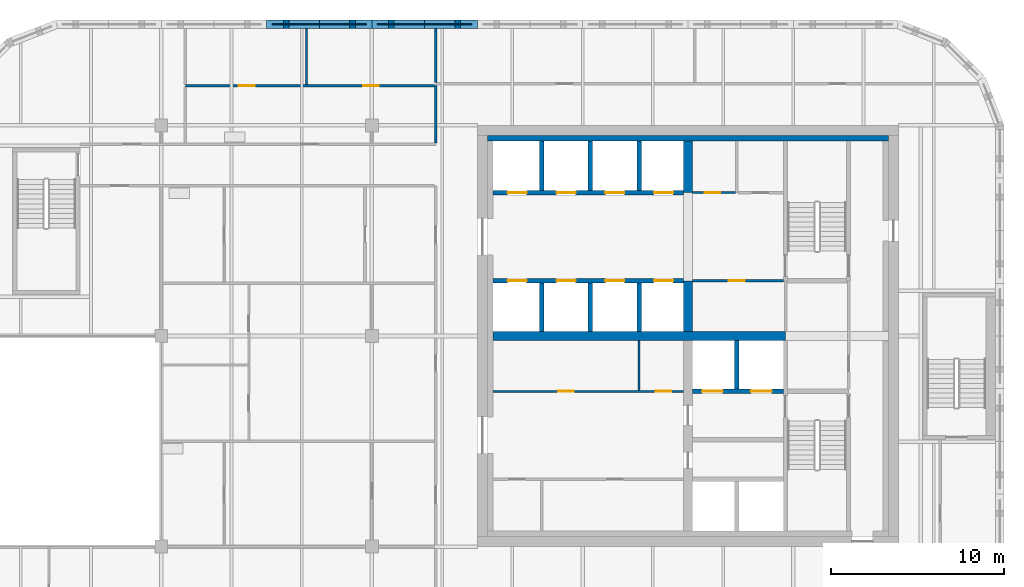
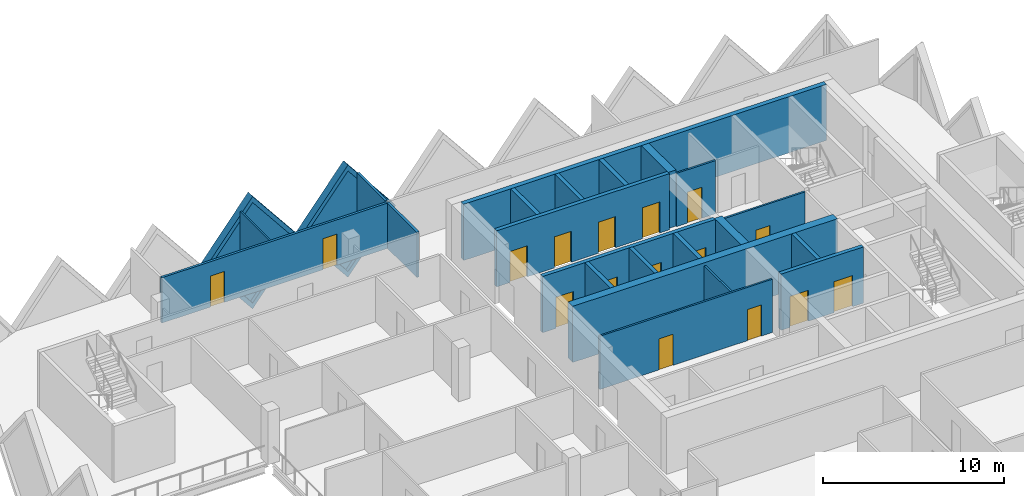
# One storey, part 8 of 12: 24 walls, 16 doors, 2 plates, 18 openings.
"""IFC4 building model written with IfcOpenShell, lengths in metres."""

import ifcopenshell
import ifcopenshell.guid

model = None  # the IFC model being written
_history = None  # IfcOwnerHistory: only IFC2X3 demands one
_inside = {}  # id of a spatial element -> (the spatial element, [elements in it])
_under = {}  # id of a project, library or spatial element -> (it, [spatial elements below it])
_declared = {}  # id of a project -> (the project, [libraries it declares])
_typed = {}  # id of a type object -> (the type object, [elements of that type])
_made_of = {}  # id of a material, layer set ... -> (it, [elements and type objects made of it])


def new_model(schema):
    """Start an empty IFC model of exactly this schema.

    Asked for "IFC4X3", IfcOpenShell would pick the latest addendum, in which some entities
    have other attributes; the version numbers below select the first issue.
    IFC2X3 requires an IfcOwnerHistory on every rooted entity: one is made here for all.
    """
    global model, _history
    if schema == "IFC4X3":
        model = ifcopenshell.file(schema_version=(4, 3, 0, 0))
    else:
        model = ifcopenshell.file(schema=schema)
    _inside.clear()
    _under.clear()
    _declared.clear()
    _typed.clear()
    _made_of.clear()
    _history = None
    if model.schema == "IFC2X3":
        org = make("IfcOrganization", Name="unknown")
        user = make(
            "IfcPersonAndOrganization",
            ThePerson=make("IfcPerson", FamilyName="unknown"),
            TheOrganization=org,
        )
        app = make(
            "IfcApplication",
            ApplicationDeveloper=org,
            Version="unknown",
            ApplicationFullName="unknown",
            ApplicationIdentifier="unknown",
        )
        _history = make(
            "IfcOwnerHistory",
            OwningUser=user,
            OwningApplication=app,
            ChangeAction="ADDED",
            CreationDate=0,
        )
    return model


def make(cls, **values):
    """One entity of the class cls with the attributes given. An attribute that is None is left unset."""
    return model.create_entity(
        cls, **{name: value for name, value in values.items() if value is not None}
    )


def rooted(cls, **values):
    """An entity with a GlobalId (a new one), such as an element, a storey or a relation."""
    return make(cls, GlobalId=ifcopenshell.guid.new(), OwnerHistory=_history, **values)


def si_unit(unit_type, name, prefix=None):
    """IfcSIUnit, for example si_unit("LENGTHUNIT", "METRE", prefix="MILLI")."""
    return make("IfcSIUnit", UnitType=unit_type, Prefix=prefix, Name=name)


def assignment(units):
    """IfcUnitAssignment: the units of a project."""
    return None if units is None else make("IfcUnitAssignment", Units=units)


def point(xyz):
    """IfcCartesianPoint."""
    return None if xyz is None else make("IfcCartesianPoint", Coordinates=xyz)


def direction(xyz):
    """IfcDirection."""
    return None if xyz is None else make("IfcDirection", DirectionRatios=xyz)


def frame(location, z_axis=None, x_axis=None):
    """IfcAxis2Placement3D, a coordinate frame: its origin and axes. An axis left out is left unset."""
    return make(
        "IfcAxis2Placement3D",
        Location=point(location),
        Axis=direction(z_axis),
        RefDirection=direction(x_axis),
    )


def frame_2d(location, x_axis=None):
    """IfcAxis2Placement2D, a coordinate frame in the plane: its origin and x axis."""
    return make(
        "IfcAxis2Placement2D", Location=point(location), RefDirection=direction(x_axis)
    )


def origin():
    """The frame at (0, 0, 0) with its axes left unset."""
    return frame((0.0, 0.0, 0.0))


def place(relative_to, where):
    """IfcLocalPlacement: puts the frame where relative to a parent placement (None: the world)."""
    return make(
        "IfcLocalPlacement", PlacementRelTo=relative_to, RelativePlacement=where
    )


def context(
    kind, dimensions, precision=None, world=None, true_north=None, identifier=None
):
    """IfcGeometricRepresentationContext, for example the 3D "Model" context."""
    return make(
        "IfcGeometricRepresentationContext",
        ContextIdentifier=identifier,
        ContextType=kind,
        CoordinateSpaceDimension=dimensions,
        Precision=precision,
        WorldCoordinateSystem=world,
        TrueNorth=true_north,
    )


def subcontext(parent, identifier, kind, view, scale=None):
    """IfcGeometricRepresentationSubContext, for example "Body" below "Model"."""
    return make(
        "IfcGeometricRepresentationSubContext",
        ContextIdentifier=identifier,
        ContextType=kind,
        ParentContext=parent,
        TargetScale=scale,
        TargetView=view,
    )


def project(units=None, contexts=None):
    """IfcProject with its units and contexts."""
    return rooted(
        "IfcProject",
        Name="project",
        RepresentationContexts=contexts,
        UnitsInContext=assignment(units),
    )


def spatial(cls, under=None, at=None, **own):
    """A site, building, storey or space (cls), placed at a placement, below another one or the project."""
    s = rooted(cls, ObjectPlacement=at, **own)
    if under is not None:
        _under.setdefault(under.id(), (under, []))[1].append(s)
    return s


def polyline(points):
    """IfcPolyline through the points."""
    return make("IfcPolyline", Points=[point(p) for p in points])


def profile(cls, at=None, kind="AREA", **sizes):
    """A parametric profile (cls). Its sizes go by their IFC names, for example OverallWidth=200.0."""
    return make(cls, ProfileType=kind, Position=at, **sizes)


def rectangle(**sizes):
    """IfcRectangleProfileDef."""
    return profile("IfcRectangleProfileDef", **sizes)


def outline(outer, holes=None, kind="AREA"):
    """IfcArbitraryClosedProfileDef: a profile drawn as a closed curve; with holes, ...WithVoids."""
    if holes is None:
        return make("IfcArbitraryClosedProfileDef", ProfileType=kind, OuterCurve=outer)
    return make(
        "IfcArbitraryProfileDefWithVoids",
        ProfileType=kind,
        OuterCurve=outer,
        InnerCurves=holes,
    )


def extrude(swept, where, along, depth):
    """IfcExtrudedAreaSolid: the profile swept, set in the frame where, extruded along a direction by depth."""
    return make(
        "IfcExtrudedAreaSolid",
        SweptArea=swept,
        Position=where,
        ExtrudedDirection=direction(along),
        Depth=depth,
    )


def faces_of(points, faces, orient=None, outer=None):
    """IfcFace entities. A face is a list of loops; a loop is a list of indices into points, from 0.

    orient and outer hold one flag for each loop. By default every Orientation is true, the
    first loop of a face is its IfcFaceOuterBound and the others are IfcFaceBound.
    """
    made = []
    for i, loops in enumerate(faces):
        bounds = []
        for j, loop in enumerate(loops):
            is_outer = j == 0 if outer is None else outer[i][j]
            bounds.append(
                make(
                    "IfcFaceOuterBound" if is_outer else "IfcFaceBound",
                    Bound=make("IfcPolyLoop", Polygon=[points[k] for k in loop]),
                    Orientation=True if orient is None else orient[i][j],
                )
            )
        made.append(make("IfcFace", Bounds=bounds))
    return made


def faceted_brep(points, faces, orient=None, outer=None, voids=None):
    """IfcFacetedBrep: a solid bounded by flat faces; with voids (closed shells), ...WithVoids."""
    shared = [point(p) for p in points]
    hull = make("IfcClosedShell", CfsFaces=faces_of(shared, faces, orient, outer))
    if voids is None:
        return make("IfcFacetedBrep", Outer=hull)
    return make(
        "IfcFacetedBrepWithVoids",
        Outer=hull,
        Voids=[
            make(cls, CfsFaces=faces_of(shared, fs, o, b)) for cls, fs, o, b in voids
        ],
    )


def shape(context_of_items, identifier, shape_type, items):
    """IfcShapeRepresentation: the items that make up one representation, for example the "Body"."""
    return make(
        "IfcShapeRepresentation",
        ContextOfItems=context_of_items,
        RepresentationIdentifier=identifier,
        RepresentationType=shape_type,
        Items=items,
    )


def source(mapping_origin, context_of_items, identifier, shape_type, items):
    """IfcRepresentationMap: a shape defined once, which mapped items show again and again."""
    return make(
        "IfcRepresentationMap",
        MappingOrigin=mapping_origin,
        MappedRepresentation=shape(context_of_items, identifier, shape_type, items),
    )


def transform(
    local_origin,
    x_axis=None,
    y_axis=None,
    z_axis=None,
    scale=None,
    scale2=None,
    scale3=None,
    uniform=True,
):
    """IfcCartesianTransformationOperator3D, or its non-uniform kind. x_axis, y_axis, z_axis: its Axis1, 2, 3."""
    if uniform:
        return make(
            "IfcCartesianTransformationOperator3D",
            Axis1=direction(x_axis),
            Axis2=direction(y_axis),
            LocalOrigin=point(local_origin),
            Scale=scale,
            Axis3=direction(z_axis),
        )
    return make(
        "IfcCartesianTransformationOperator3DnonUniform",
        Axis1=direction(x_axis),
        Axis2=direction(y_axis),
        LocalOrigin=point(local_origin),
        Scale=scale,
        Axis3=direction(z_axis),
        Scale2=scale2,
        Scale3=scale3,
    )


def mapped(mapping_source, mapping_target):
    """IfcMappedItem: shows the shape of a source again, moved by a transform."""
    return make(
        "IfcMappedItem", MappingSource=mapping_source, MappingTarget=mapping_target
    )


def material(Name=None, Category=None):
    """IfcMaterial."""
    return make("IfcMaterial", Name=Name, Category=Category)


def layer(
    of_material, thickness, ventilated=None, Name=None, Category=None, Priority=None
):
    """IfcMaterialLayer: one layer of a wall or slab, of a material (None: an air gap)."""
    return make(
        "IfcMaterialLayer",
        Material=of_material,
        LayerThickness=thickness,
        IsVentilated=ventilated,
        Name=Name,
        Category=Category,
        Priority=Priority,
    )


def layer_set(layers, Name=None):
    """IfcMaterialLayerSet."""
    return make("IfcMaterialLayerSet", MaterialLayers=layers, LayerSetName=Name)


def made_of(thing, what):
    """Note that an element or type object is made of a material, layer set ...; save() writes the relation."""
    if what is not None:
        _made_of.setdefault(what.id(), (what, []))[1].append(thing)
    return thing


def type_object(cls, material=None, **own):
    """A type object (cls), such as IfcWallType, which elements share."""
    return made_of(rooted(cls, **own), material)


def element(
    cls,
    number,
    at=None,
    inside=None,
    cuts=None,
    type_object=None,
    material=None,
    context=None,
    identifier="Body",
    shape_type=None,
    held_by="IfcProductDefinitionShape",
    body=None,
    shapes=None,
    **own,
):
    """One element of the class cls, such as IfcWall. Its Tag is "e" and its number.

    at: its placement. inside: the storey or other place that contains it. cuts: it is an
    opening in that element (IfcRelVoidsElement). A single representation is given by context,
    identifier, shape_type and body (its items); several are given by shapes. held_by: the class
    of the entity that holds the representations. save() writes the other relations.
    """
    e = rooted(cls, Tag="e%d" % number, ObjectPlacement=at, **own)
    if body is not None:
        shapes = [shape(context, identifier, shape_type, body)]
    if shapes is not None:
        e.Representation = make(held_by, Representations=shapes)
    if inside is not None:
        _inside.setdefault(inside.id(), (inside, []))[1].append(e)
    if cuts is not None:
        rooted(
            "IfcRelVoidsElement", RelatingBuildingElement=cuts, RelatedOpeningElement=e
        )
    if type_object is not None:
        _typed.setdefault(type_object.id(), (type_object, []))[1].append(e)
    return made_of(e, material)


def fill(opening, filler):
    """IfcRelFillsElement: the door or window that sits in an opening."""
    return rooted(
        "IfcRelFillsElement",
        RelatingOpeningElement=opening,
        RelatedBuildingElement=filler,
    )


def aggregate(whole, parts):
    """IfcRelAggregates: a whole, such as a stair, and the parts it consists of."""
    return rooted("IfcRelAggregates", RelatingObject=whole, RelatedObjects=parts)


def save(model, path):
    """Write the relations noted so far, then the file.

    IfcRelAggregates (storeys below a building ...), IfcRelContainedInSpatialStructure (elements
    in a storey), IfcRelDefinesByType, IfcRelAssociatesMaterial and IfcRelDeclares: one each for
    every whole, place, type object, material and project.
    """
    for whole, parts in _under.values():
        aggregate(whole, parts)
    for where, things in _inside.values():
        rooted(
            "IfcRelContainedInSpatialStructure",
            RelatedElements=things,
            RelatingStructure=where,
        )
    for kind, things in _typed.values():
        rooted("IfcRelDefinesByType", RelatedObjects=things, RelatingType=kind)
    for what, things in _made_of.values():
        rooted("IfcRelAssociatesMaterial", RelatedObjects=things, RelatingMaterial=what)
    for by, libraries in _declared.values():
        rooted("IfcRelDeclares", RelatingContext=by, RelatedDefinitions=libraries)
    model.write(path)


model = new_model("IFC4")

# Units and contexts
model_context = context("Model", 3, precision=1e-05, world=origin(), true_north=direction((0.0, 1.0)))
body_context = subcontext(model_context, "Body", "Model", "MODEL_VIEW")
ifc_project = project(units=[si_unit("LENGTHUNIT", "METRE"), si_unit("AREAUNIT", "SQUARE_METRE"), si_unit("VOLUMEUNIT", "CUBIC_METRE"), si_unit("PLANEANGLEUNIT", "RADIAN"), si_unit("MASSUNIT", "GRAM", prefix="KILO")], contexts=[model_context])

# Site, building, storey
site_placement = place(None, origin())
site = spatial("IfcSite", under=ifc_project, at=site_placement, CompositionType="ELEMENT")
building_placement = place(site_placement, origin())
building = spatial("IfcBuilding", under=site, at=building_placement, Name="Tessera Gate Towers", CompositionType="ELEMENT")
storey_placement = place(building_placement, frame((0.0, 0.0, 159.199951171875)))
storey = spatial("IfcBuildingStorey", under=building, at=storey_placement, Name="L39", CompositionType="ELEMENT", Elevation=159.199951171875)

# Wall, openings, doors
ifc_material_1 = material(Name="Concrete C40/50", Category="concrete")
ifc_layer_1 = layer(ifc_material_1, 0.25)
ifc_layer_set_1 = layer_set([ifc_layer_1], Name="CORE ENCLOSURE WALL 250")
wall_type_1 = type_object("IfcWallType", Name="CORE ENCLOSURE WALL 250", PredefinedType="SOLIDWALL", material=ifc_layer_set_1)
wall_1_placement = place(storey_placement, frame((31.39990234375, 39.800048828125, 0.0), z_axis=(0.0, 0.0, 1.0), x_axis=(1.0, 0.0, 0.0)))
wall_1 = element("IfcWall", 1, at=wall_1_placement, inside=storey, type_object=wall_type_1, Name="L39 shaft and stair enclosure wall", PredefinedType="SOLIDWALL", context=body_context, shape_type="SweptSolid", body=[
    extrude(rectangle(XDim=11.050048828125, YDim=0.25, at=frame_2d((5.52490234375, 0.0))), origin(), (0.0, 0.0, 1.0), 3.800048828125),
])
shared_shape_1 = source(origin(), body_context, "Body", "SweptSolid", [
    extrude(rectangle(XDim=1.10009765625, YDim=2.10009765625, at=frame_2d((0.550048828125, 1.050048828125))), frame((0.0, 0.135009765625, 0.0), z_axis=(0.0, -1.0, 0.0), x_axis=(1.0, 0.0, 0.0)), (0.0, 0.0, 1.0), 0.27001953125),
])
opening_1_placement = place(wall_1_placement, frame((0.862548828125, 0.0, 0.0)))
opening_1 = element("IfcOpeningElement", 2, at=opening_1_placement, cuts=wall_1, Name="Opening LD-HR1", PredefinedType="OPENING", context=body_context, shape_type="MappedRepresentation", body=[
    mapped(shared_shape_1, transform((0.0, 0.0, 0.0), scale=1.0)),
])
opening_2_placement = place(wall_1_placement, frame((3.6875, 0.0, 0.0)))
opening_2 = element("IfcOpeningElement", 3, at=opening_2_placement, cuts=wall_1, Name="Opening LD-HR2", PredefinedType="OPENING", context=body_context, shape_type="MappedRepresentation", body=[
    mapped(shared_shape_1, transform((0.0, 0.0, 0.0), scale=1.0)),
])
opening_3_placement = place(wall_1_placement, frame((6.512451171875, 0.0, 0.0)))
opening_3 = element("IfcOpeningElement", 4, at=opening_3_placement, cuts=wall_1, Name="Opening LD-HR3", PredefinedType="OPENING", context=body_context, shape_type="MappedRepresentation", body=[
    mapped(shared_shape_1, transform((0.0, 0.0, 0.0), scale=1.0)),
])
opening_4_placement = place(wall_1_placement, frame((9.33740234375, 0.0, 0.0)))
opening_4 = element("IfcOpeningElement", 5, at=opening_4_placement, cuts=wall_1, Name="Opening LD-HR4", PredefinedType="OPENING", context=body_context, shape_type="MappedRepresentation", body=[
    mapped(shared_shape_1, transform((0.0, 0.0, 0.0), scale=1.0)),
])
ifc_material_2 = material(Name="Stainless steel", Category="steel")
door_type_1 = type_object("IfcDoorType", Name="CORE DOOR LD 1100x2100", OperationType="DOUBLE_DOOR_SLIDING", PredefinedType="DOOR", material=ifc_material_2)
shared_shape_2 = source(origin(), body_context, "Body", "SweptSolid", [
    extrude(rectangle(XDim=1.10009765625, YDim=2.10009765625, at=frame_2d((0.550048828125, 1.050048828125))), frame((0.0, 0.02490234375, 0.0), z_axis=(0.0, -1.0, 0.0), x_axis=(1.0, 0.0, 0.0)), (0.0, 0.0, 1.0), 0.050048828125),
])
door_1_placement = place(opening_1_placement, origin())
door_1 = element("IfcDoor", 6, at=door_1_placement, inside=storey, type_object=door_type_1, Name="Landing door HR1 L39", OperationType="DOUBLE_DOOR_SLIDING", OverallHeight=2.10009765625, OverallWidth=1.10009765625, PredefinedType="DOOR", context=body_context, shape_type="MappedRepresentation", body=[
    mapped(shared_shape_2, transform((0.0, 0.0, 0.0), scale=1.0)),
])
fill(opening_1, door_1)
door_2_placement = place(opening_2_placement, origin())
door_2 = element("IfcDoor", 7, at=door_2_placement, inside=storey, type_object=door_type_1, Name="Landing door HR2 L39", OperationType="DOUBLE_DOOR_SLIDING", OverallHeight=2.10009765625, OverallWidth=1.10009765625, PredefinedType="DOOR", context=body_context, shape_type="MappedRepresentation", body=[
    mapped(shared_shape_2, transform((0.0, 0.0, 0.0), scale=1.0)),
])
fill(opening_2, door_2)
door_3_placement = place(opening_3_placement, origin())
door_3 = element("IfcDoor", 8, at=door_3_placement, inside=storey, type_object=door_type_1, Name="Landing door HR3 L39", OperationType="DOUBLE_DOOR_SLIDING", OverallHeight=2.10009765625, OverallWidth=1.10009765625, PredefinedType="DOOR", context=body_context, shape_type="MappedRepresentation", body=[
    mapped(shared_shape_2, transform((0.0, 0.0, 0.0), scale=1.0)),
])
fill(opening_3, door_3)
door_4_placement = place(opening_4_placement, origin())
door_4 = element("IfcDoor", 9, at=door_4_placement, inside=storey, type_object=door_type_1, Name="Landing door HR4 L39", OperationType="DOUBLE_DOOR_SLIDING", OverallHeight=2.10009765625, OverallWidth=1.10009765625, PredefinedType="DOOR", context=body_context, shape_type="MappedRepresentation", body=[
    mapped(shared_shape_2, transform((0.0, 0.0, 0.0), scale=1.0)),
])
fill(opening_4, door_4)

wall_2_placement = place(storey_placement, frame((42.449951171875, 44.89990234375, 0.0), z_axis=(0.0, 0.0, 1.0), x_axis=(-1.0, 0.0, 0.0)))
wall_2 = element("IfcWall", 10, at=wall_2_placement, inside=storey, type_object=wall_type_1, Name="L39 shaft and stair enclosure wall", PredefinedType="SOLIDWALL", context=body_context, shape_type="SweptSolid", body=[
    extrude(rectangle(XDim=11.050048828125, YDim=0.25, at=frame_2d((5.52490234375, 0.0))), origin(), (0.0, 0.0, 1.0), 3.800048828125),
])
opening_5_placement = place(wall_2_placement, frame((9.08740234375, 0.0, 0.0)))
opening_5 = element("IfcOpeningElement", 11, at=opening_5_placement, cuts=wall_2, Name="Opening LD-HR5", PredefinedType="OPENING", context=body_context, shape_type="MappedRepresentation", body=[
    mapped(shared_shape_1, transform((0.0, 0.0, 0.0), scale=1.0)),
])
opening_6_placement = place(wall_2_placement, frame((6.262451171875, 0.0, 0.0)))
opening_6 = element("IfcOpeningElement", 12, at=opening_6_placement, cuts=wall_2, Name="Opening LD-HR6", PredefinedType="OPENING", context=body_context, shape_type="MappedRepresentation", body=[
    mapped(shared_shape_1, transform((0.0, 0.0, 0.0), scale=1.0)),
])
opening_7_placement = place(wall_2_placement, frame((3.4375, 0.0, 0.0)))
opening_7 = element("IfcOpeningElement", 13, at=opening_7_placement, cuts=wall_2, Name="Opening LD-HR7", PredefinedType="OPENING", context=body_context, shape_type="MappedRepresentation", body=[
    mapped(shared_shape_1, transform((0.0, 0.0, 0.0), scale=1.0)),
])
opening_8_placement = place(wall_2_placement, frame((0.612548828125, 0.0, 0.0)))
opening_8 = element("IfcOpeningElement", 14, at=opening_8_placement, cuts=wall_2, Name="Opening LD-HR8", PredefinedType="OPENING", context=body_context, shape_type="MappedRepresentation", body=[
    mapped(shared_shape_1, transform((0.0, 0.0, 0.0), scale=1.0)),
])
door_5_placement = place(opening_5_placement, origin())
door_5 = element("IfcDoor", 15, at=door_5_placement, inside=storey, type_object=door_type_1, Name="Landing door HR5 L39", OperationType="DOUBLE_DOOR_SLIDING", OverallHeight=2.10009765625, OverallWidth=1.10009765625, PredefinedType="DOOR", context=body_context, shape_type="MappedRepresentation", body=[
    mapped(shared_shape_2, transform((0.0, 0.0, 0.0), scale=1.0)),
])
fill(opening_5, door_5)
door_6_placement = place(opening_6_placement, origin())
door_6 = element("IfcDoor", 16, at=door_6_placement, inside=storey, type_object=door_type_1, Name="Landing door HR6 L39", OperationType="DOUBLE_DOOR_SLIDING", OverallHeight=2.10009765625, OverallWidth=1.10009765625, PredefinedType="DOOR", context=body_context, shape_type="MappedRepresentation", body=[
    mapped(shared_shape_2, transform((0.0, 0.0, 0.0), scale=1.0)),
])
fill(opening_6, door_6)
door_7_placement = place(opening_7_placement, origin())
door_7 = element("IfcDoor", 17, at=door_7_placement, inside=storey, type_object=door_type_1, Name="Landing door HR7 L39", OperationType="DOUBLE_DOOR_SLIDING", OverallHeight=2.10009765625, OverallWidth=1.10009765625, PredefinedType="DOOR", context=body_context, shape_type="MappedRepresentation", body=[
    mapped(shared_shape_2, transform((0.0, 0.0, 0.0), scale=1.0)),
])
fill(opening_7, door_7)
door_8_placement = place(opening_8_placement, origin())
door_8 = element("IfcDoor", 18, at=door_8_placement, inside=storey, type_object=door_type_1, Name="Landing door HR8 L39", OperationType="DOUBLE_DOOR_SLIDING", OverallHeight=2.10009765625, OverallWidth=1.10009765625, PredefinedType="DOOR", context=body_context, shape_type="MappedRepresentation", body=[
    mapped(shared_shape_2, transform((0.0, 0.0, 0.0), scale=1.0)),
])
fill(opening_8, door_8)

wall_3_placement = place(storey_placement, frame((48.22509765625, 33.39990234375, 0.0), z_axis=(0.0, 0.0, 1.0), x_axis=(-1.0, 0.0, 0.0)))
wall_3 = element("IfcWall", 19, at=wall_3_placement, inside=storey, type_object=wall_type_1, Name="L39 shaft and stair enclosure wall", PredefinedType="SOLIDWALL", context=body_context, shape_type="SweptSolid", body=[
    extrude(rectangle(XDim=5.275146484375, YDim=0.25, at=frame_2d((2.6376953125, 0.0))), origin(), (0.0, 0.0, 1.0), 3.800048828125),
])
shared_shape_3 = source(origin(), body_context, "Body", "SweptSolid", [
    extrude(rectangle(XDim=1.199951171875, YDim=2.10009765625, at=frame_2d((0.60009765625, 1.050048828125))), frame((0.0, 0.135009765625, 0.0), z_axis=(0.0, -1.0, 0.0), x_axis=(1.0, 0.0, 0.0)), (0.0, 0.0, 1.0), 0.27001953125),
])
opening_9_placement = place(wall_3_placement, frame((3.512451171875, 0.0, 0.0)))
opening_9 = element("IfcOpeningElement", 20, at=opening_9_placement, cuts=wall_3, Name="Opening LD-FF1", PredefinedType="OPENING", context=body_context, shape_type="MappedRepresentation", body=[
    mapped(shared_shape_3, transform((0.0, 0.0, 0.0), scale=1.0)),
])
opening_10_placement = place(wall_3_placement, frame((0.6875, 0.0, 0.0)))
opening_10 = element("IfcOpeningElement", 21, at=opening_10_placement, cuts=wall_3, Name="Opening LD-FF2", PredefinedType="OPENING", context=body_context, shape_type="MappedRepresentation", body=[
    mapped(shared_shape_3, transform((0.0, 0.0, 0.0), scale=1.0)),
])
ifc_material_3 = material(Name="Stainless steel", Category="steel")
door_type_2 = type_object("IfcDoorType", Name="CORE DOOR LD1200 1200x2100", OperationType="DOUBLE_DOOR_SLIDING", PredefinedType="DOOR", material=ifc_material_3)
shared_shape_4 = source(origin(), body_context, "Body", "SweptSolid", [
    extrude(rectangle(XDim=1.199951171875, YDim=2.10009765625, at=frame_2d((0.60009765625, 1.050048828125))), frame((0.0, 0.02490234375, 0.0), z_axis=(0.0, -1.0, 0.0), x_axis=(1.0, 0.0, 0.0)), (0.0, 0.0, 1.0), 0.050048828125),
])
door_9_placement = place(opening_9_placement, origin())
door_9 = element("IfcDoor", 22, at=door_9_placement, inside=storey, type_object=door_type_2, Name="Landing door FF1 L39", OperationType="DOUBLE_DOOR_SLIDING", OverallHeight=2.10009765625, OverallWidth=1.199951171875, PredefinedType="DOOR", context=body_context, shape_type="MappedRepresentation", body=[
    mapped(shared_shape_4, transform((0.0, 0.0, 0.0), scale=1.0)),
])
fill(opening_9, door_9)
door_10_placement = place(opening_10_placement, origin())
door_10 = element("IfcDoor", 23, at=door_10_placement, inside=storey, type_object=door_type_2, Name="Landing door FF2 L39", OperationType="DOUBLE_DOOR_SLIDING", OverallHeight=2.10009765625, OverallWidth=1.199951171875, PredefinedType="DOOR", context=body_context, shape_type="MappedRepresentation", body=[
    mapped(shared_shape_4, transform((0.0, 0.0, 0.0), scale=1.0)),
])
fill(opening_10, door_10)

# Walls
for number, where, z_axis, x_axis, name in (
    (24, (34.22509765625, 36.85009765625, 0.0), (0.0, 0.0, 1.0), (0.0, 1.0, 0.0), "L39 shaft and stair enclosure wall"),
    (25, (37.050048828125, 36.85009765625, 0.0), (0.0, 0.0, 1.0), (0.0, 1.0, 0.0), "L39 shaft and stair enclosure wall"),
    (26, (39.875, 36.85009765625, 0.0), (0.0, 0.0, 1.0), (0.0, 1.0, 0.0), "L39 shaft and stair enclosure wall"),
):
    element("IfcWall", number, at=place(storey_placement, frame(where, z_axis=z_axis, x_axis=x_axis)), inside=storey, type_object=wall_type_1, Name=name, PredefinedType="SOLIDWALL", context=body_context, shape_type="SweptSolid", body=[
        extrude(rectangle(XDim=2.824951171875, YDim=0.25, at=frame_2d((1.41259765625, 0.0))), origin(), (0.0, 0.0, 1.0), 3.800048828125),
    ])
wall_4_placement = place(storey_placement, frame((45.52490234375, 33.52490234375, 0.0), z_axis=(0.0, 0.0, 1.0), x_axis=(0.0, 1.0, 0.0)))
element("IfcWall", 27, at=wall_4_placement, inside=storey, type_object=wall_type_1, Name="L39 shaft and stair enclosure wall", PredefinedType="SOLIDWALL", context=body_context, shape_type="SweptSolid", body=[
    extrude(rectangle(XDim=2.8251953125, YDim=0.25, at=frame_2d((1.41259765625, 0.0))), origin(), (0.0, 0.0, 1.0), 3.800048828125),
])
for number, where, z_axis, x_axis, name in (
    (28, (34.22509765625, 45.02490234375, 0.0), (0.0, 0.0, 1.0), (0.0, 1.0, 0.0), "L39 shaft and stair enclosure wall"),
    (29, (37.050048828125, 45.02490234375, 0.0), (0.0, 0.0, 1.0), (0.0, 1.0, 0.0), "L39 shaft and stair enclosure wall"),
    (30, (39.875, 45.02490234375, 0.0), (0.0, 0.0, 1.0), (0.0, 1.0, 0.0), "L39 shaft and stair enclosure wall"),
):
    element("IfcWall", number, at=place(storey_placement, frame(where, z_axis=z_axis, x_axis=x_axis)), inside=storey, type_object=wall_type_1, Name=name, PredefinedType="SOLIDWALL", context=body_context, shape_type="SweptSolid", body=[
        extrude(rectangle(XDim=2.875, YDim=0.25, at=frame_2d((1.4375, 0.0))), origin(), (0.0, 0.0, 1.0), 3.800048828125),
    ])

# Wall, openings, doors
ifc_material_4 = material(Name="Gypsum board on steel studs", Category="steel")
ifc_layer_2 = layer(ifc_material_4, 0.1201171875)
ifc_layer_set_2 = layer_set([ifc_layer_2], Name="CORE PARTITION 120")
wall_type_2 = type_object("IfcWallType", Name="CORE PARTITION 120", PredefinedType="PARTITIONING", material=ifc_layer_set_2)
wall_5_placement = place(storey_placement, frame((31.39990234375, 33.39990234375, 0.0), z_axis=(0.0, 0.0, 1.0), x_axis=(1.0, 0.0, 0.0)))
wall_5 = element("IfcWall", 31, at=wall_5_placement, inside=storey, type_object=wall_type_2, Name="L39 core partition", PredefinedType="PARTITIONING", context=body_context, shape_type="SweptSolid", body=[
    extrude(rectangle(XDim=11.050048828125, YDim=0.1201171875, at=frame_2d((5.52490234375, 0.0))), origin(), (0.0, 0.0, 1.0), 3.60009765625),
])
shared_shape_5 = source(origin(), body_context, "Body", "SweptSolid", [
    extrude(rectangle(XDim=0.89990234375, YDim=2.10009765625, at=frame_2d((0.449951171875, 1.050048828125))), frame((0.0, 0.070068359375, 0.0), z_axis=(0.0, -1.0, 0.0), x_axis=(1.0, 0.0, 0.0)), (0.0, 0.0, 1.0), 0.14013671875),
])
opening_11_placement = place(wall_5_placement, frame((3.78759765625, 0.0, 0.0)))
opening_11 = element("IfcOpeningElement", 32, at=opening_11_placement, cuts=wall_5, Name="Opening RD-T1-26-09", PredefinedType="OPENING", context=body_context, shape_type="MappedRepresentation", body=[
    mapped(shared_shape_5, transform((0.0, 0.0, 0.0), scale=1.0)),
])
opening_12_placement = place(wall_5_placement, frame((9.4375, 0.0, 0.0)))
opening_12 = element("IfcOpeningElement", 33, at=opening_12_placement, cuts=wall_5, Name="Opening RD-T1-26-10", PredefinedType="OPENING", context=body_context, shape_type="MappedRepresentation", body=[
    mapped(shared_shape_5, transform((0.0, 0.0, 0.0), scale=1.0)),
])
ifc_material_5 = material(Name="Hollow steel fire door", Category="steel")
door_type_3 = type_object("IfcDoorType", Name="CORE DOOR RD 900x2100", OperationType="NOTDEFINED", PredefinedType="DOOR", material=ifc_material_5)
shared_shape_6 = source(origin(), body_context, "Body", "SweptSolid", [
    extrude(rectangle(XDim=0.89990234375, YDim=2.10009765625, at=frame_2d((0.449951171875, 1.050048828125))), frame((0.0, 0.02490234375, 0.0), z_axis=(0.0, -1.0, 0.0), x_axis=(1.0, 0.0, 0.0)), (0.0, 0.0, 1.0), 0.050048828125),
])
door_11_placement = place(opening_11_placement, origin())
door_11 = element("IfcDoor", 34, at=door_11_placement, inside=storey, type_object=door_type_3, Name="Core room door", OperationType="SINGLE_SWING_LEFT", OverallHeight=2.10009765625, OverallWidth=0.89990234375, PredefinedType="DOOR", context=body_context, shape_type="MappedRepresentation", body=[
    mapped(shared_shape_6, transform((0.0, 0.0, 0.0), scale=1.0)),
])
fill(opening_11, door_11)
door_12_placement = place(opening_12_placement, origin())
door_12 = element("IfcDoor", 35, at=door_12_placement, inside=storey, type_object=door_type_3, Name="Core room door", OperationType="SINGLE_SWING_RIGHT", OverallHeight=2.10009765625, OverallWidth=0.89990234375, PredefinedType="DOOR", context=body_context, shape_type="MappedRepresentation", body=[
    mapped(shared_shape_6, transform((0.0, 0.0, 0.0), scale=1.0)),
])
fill(opening_12, door_12)

# Wall, opening, door
wall_6_placement = place(storey_placement, frame((48.22509765625, 39.800048828125, 0.0), z_axis=(0.0, 0.0, 1.0), x_axis=(-1.0, 0.0, 0.0)))
wall_6 = element("IfcWall", 36, at=wall_6_placement, inside=storey, type_object=wall_type_2, Name="L39 core partition", PredefinedType="PARTITIONING", context=body_context, shape_type="SweptSolid", body=[
    extrude(rectangle(XDim=5.275146484375, YDim=0.1201171875, at=frame_2d((2.6376953125, 0.0))), origin(), (0.0, 0.0, 1.0), 3.60009765625),
])
opening_13_placement = place(wall_6_placement, frame((2.25, 0.0, 0.0)))
opening_13 = element("IfcOpeningElement", 37, at=opening_13_placement, cuts=wall_6, Name="Opening RD-T1-26-12", PredefinedType="OPENING", context=body_context, shape_type="MappedRepresentation", body=[
    mapped(shared_shape_5, transform((0.0, 0.0, 0.0), scale=1.0)),
])
door_13_placement = place(opening_13_placement, origin())
door_13 = element("IfcDoor", 38, at=door_13_placement, inside=storey, type_object=door_type_3, Name="Core room door", OperationType="SINGLE_SWING_RIGHT", OverallHeight=2.10009765625, OverallWidth=0.89990234375, PredefinedType="DOOR", context=body_context, shape_type="MappedRepresentation", body=[
    mapped(shared_shape_6, transform((0.0, 0.0, 0.0), scale=1.0)),
])
fill(opening_13, door_13)

# Wall
wall_7_placement = place(storey_placement, frame((39.875, 33.4599609375, 0.0), z_axis=(0.0, 0.0, 1.0), x_axis=(0.0, 1.0, 0.0)))
element("IfcWall", 39, at=wall_7_placement, inside=storey, type_object=wall_type_2, Name="L39 core partition", PredefinedType="PARTITIONING", context=body_context, shape_type="SweptSolid", body=[
    extrude(rectangle(XDim=2.89013671875, YDim=0.1201171875, at=frame_2d((1.445068359375, 0.0))), origin(), (0.0, 0.0, 1.0), 3.60009765625),
])

# Wall, opening, door
wall_8_placement = place(storey_placement, frame((42.949951171875, 44.89990234375, 0.0), z_axis=(0.0, 0.0, 1.0), x_axis=(1.0, 0.0, 0.0)))
wall_8 = element("IfcWall", 40, at=wall_8_placement, inside=storey, type_object=wall_type_2, Name="L39 core partition", PredefinedType="PARTITIONING", context=body_context, shape_type="SweptSolid", body=[
    extrude(rectangle(XDim=2.5, YDim=0.1201171875, at=frame_2d((1.25, 0.0))), origin(), (0.0, 0.0, 1.0), 3.60009765625),
])
opening_14_placement = place(wall_8_placement, frame((0.71240234375, 0.0, 0.0)))
opening_14 = element("IfcOpeningElement", 41, at=opening_14_placement, cuts=wall_8, Name="Opening RD-T1-26-13", PredefinedType="OPENING", context=body_context, shape_type="MappedRepresentation", body=[
    mapped(shared_shape_5, transform((0.0, 0.0, 0.0), scale=1.0)),
])
door_14_placement = place(opening_14_placement, origin())
door_14 = element("IfcDoor", 42, at=door_14_placement, inside=storey, type_object=door_type_3, Name="Core room door", OperationType="SINGLE_SWING_LEFT", OverallHeight=2.10009765625, OverallWidth=0.89990234375, PredefinedType="DOOR", context=body_context, shape_type="MappedRepresentation", body=[
    mapped(shared_shape_6, transform((0.0, 0.0, 0.0), scale=1.0)),
])
fill(opening_14, door_14)

# Walls
ifc_material_6 = material(Name="Concrete C50/60", Category="concrete")
ifc_layer_3 = layer(ifc_material_6, 0.5)
ifc_layer_set_3 = layer_set([ifc_layer_3], Name="CORE SPINE WALL 500 C50/60")
wall_type_3 = type_object("IfcWallType", Name="CORE SPINE WALL 500 C50/60", PredefinedType="SHEAR", material=ifc_layer_set_3)
wall_9_placement = place(storey_placement, frame((31.39990234375, 36.60009765625, 0.0), z_axis=(0.0, 0.0, 1.0), x_axis=(1.0, 0.0, 0.0)))
element("IfcWall", 43, at=wall_9_placement, inside=storey, type_object=wall_type_3, Name="Core wall spine L39", PredefinedType="SHEAR", context=body_context, shape_type="SweptSolid", body=[
    extrude(rectangle(XDim=16.9501953125, YDim=0.5, at=frame_2d((8.47509765625, 0.0))), origin(), (0.0, 0.0, 1.0), 3.800048828125),
])
wall_10_placement = place(storey_placement, frame((42.699951171875, 36.85009765625, 0.0), z_axis=(0.0, 0.0, 1.0), x_axis=(0.0, 1.0, 0.0)))
element("IfcWall", 44, at=wall_10_placement, inside=storey, type_object=wall_type_3, Name="Core wall spine L39", PredefinedType="SHEAR", context=body_context, shape_type="SweptSolid", body=[
    extrude(rectangle(XDim=2.949951171875, YDim=0.5, at=frame_2d((1.47509765625, 0.0))), origin(), (0.0, 0.0, 1.0), 3.800048828125),
])
wall_11_placement = place(storey_placement, frame((42.699951171875, 44.89990234375, 0.0), z_axis=(0.0, 0.0, 1.0), x_axis=(0.0, 1.0, 0.0)))
element("IfcWall", 45, at=wall_11_placement, inside=storey, type_object=wall_type_3, Name="Core wall spine L39", PredefinedType="SHEAR", context=body_context, shape_type="SweptSolid", body=[
    extrude(rectangle(XDim=3.0, YDim=0.5, at=frame_2d((1.5, 0.0))), origin(), (0.0, 0.0, 1.0), 3.800048828125),
])
ifc_material_7 = material(Name="Concrete C50/60", Category="concrete")
ifc_layer_4 = layer(ifc_material_7, 0.300048828125)
ifc_layer_set_4 = layer_set([ifc_layer_4], Name="CORE WALL THICKENING 300")
wall_type_4 = type_object("IfcWallType", Name="CORE WALL THICKENING 300", PredefinedType="SOLIDWALL", material=ifc_layer_set_4)
wall_12_placement = place(storey_placement, frame((31.10009765625, 48.050048828125, 0.0), z_axis=(0.0, 0.0, 1.0), x_axis=(1.0, 0.0, 0.0)))
element("IfcWall", 46, at=wall_12_placement, inside=storey, type_object=wall_type_4, Name="Core wall thickening N L39", PredefinedType="SOLIDWALL", context=body_context, shape_type="SweptSolid", body=[
    extrude(rectangle(XDim=23.199951171875, YDim=0.300048828125, at=frame_2d((11.60009765625, 0.0))), origin(), (0.0, 0.0, 1.0), 3.800048828125),
])
ifc_material_8 = material(Name="Gypsum board on steel studs, mineral wool", Category="steel")
ifc_layer_5 = layer(ifc_material_8, 0.14990234375)
ifc_layer_set_5 = layer_set([ifc_layer_5], Name="CORRIDOR WALL 150")
wall_type_5 = type_object("IfcWallType", Name="CORRIDOR WALL 150", PredefinedType="PARTITIONING", material=ifc_layer_set_5)
wall_13_placement = place(storey_placement, frame((28.10009765625, 47.77587890625, 0.0), z_axis=(0.0, 0.0, 1.0), x_axis=(0.0, 1.0, 0.0)))
element("IfcWall", 47, at=wall_13_placement, inside=storey, type_object=wall_type_5, Name="T1-L39-PW-042", PredefinedType="PARTITIONING", context=body_context, shape_type="SweptSolid", body=[
    extrude(rectangle(XDim=3.32421875, YDim=0.14990234375, at=frame_2d((1.662109375, 0.0))), origin(), (0.0, 0.0, 1.0), 3.067138671875),
])
ifc_material_9 = material(Name="Gypsum board on steel studs", Category="steel")
ifc_layer_6 = layer(ifc_material_9, 0.10009765625)
ifc_layer_set_6 = layer_set([ifc_layer_6], Name="PARTITION 100")
wall_type_6 = type_object("IfcWallType", Name="PARTITION 100", PredefinedType="PARTITIONING", material=ifc_layer_set_6)
wall_14_placement = place(storey_placement, frame((20.60498046875, 51.176025390625, 0.0), z_axis=(0.0, 0.0, 1.0), x_axis=(0.0, 1.0, 0.0)))
element("IfcWall", 48, at=wall_14_placement, inside=storey, type_object=wall_type_6, Name="T1-L39-PW-047", PredefinedType="PARTITIONING", context=body_context, shape_type="SweptSolid", body=[
    extrude(rectangle(XDim=3.223876953125, YDim=0.10009765625, at=frame_2d((1.61181640625, 0.0))), origin(), (0.0, 0.0, 1.0), 3.067138671875),
])

# Wall, openings, doors
ifc_material_10 = material(Name="Gypsum board on steel studs, mineral wool", Category="steel")
ifc_layer_7 = layer(ifc_material_10, 0.14990234375)
ifc_layer_set_7 = layer_set([ifc_layer_7], Name="TENANCY WALL 150")
wall_type_7 = type_object("IfcWallType", Name="TENANCY WALL 150", PredefinedType="PARTITIONING", material=ifc_layer_set_7)
wall_15_placement = place(storey_placement, frame((13.60009765625, 51.10009765625, 0.0), z_axis=(0.0, 0.0, 1.0), x_axis=(1.0, 0.0, 0.0)))
wall_15 = element("IfcWall", 49, at=wall_15_placement, inside=storey, type_object=wall_type_7, Name="T1-L39-PW-045", PredefinedType="PARTITIONING", context=body_context, shape_type="SweptSolid", body=[
    extrude(rectangle(XDim=14.423828125, YDim=0.14990234375, at=frame_2d((7.2119140625, 0.0))), origin(), (0.0, 0.0, 1.0), 3.067138671875),
])
shared_shape_7 = source(origin(), body_context, "Body", "SweptSolid", [
    extrude(rectangle(XDim=0.89990234375, YDim=2.10009765625, at=frame_2d((0.449951171875, 1.050048828125))), frame((0.0, 0.0849609375, 0.0), z_axis=(0.0, -1.0, 0.0), x_axis=(1.0, 0.0, 0.0)), (0.0, 0.0, 1.0), 0.169921875),
])
opening_15_placement = place(wall_15_placement, frame((3.10009765625, 0.0, 0.0)))
opening_15 = element("IfcOpeningElement", 50, at=opening_15_placement, cuts=wall_15, Name="Opening D190-A14-10", PredefinedType="OPENING", context=body_context, shape_type="MappedRepresentation", body=[
    mapped(shared_shape_7, transform((0.0, 0.0, 0.0), scale=1.0)),
])
opening_16_placement = place(wall_15_placement, frame((10.3046875, 0.0, 0.0)))
opening_16 = element("IfcOpeningElement", 51, at=opening_16_placement, cuts=wall_15, Name="Opening D190-A14-11", PredefinedType="OPENING", context=body_context, shape_type="MappedRepresentation", body=[
    mapped(shared_shape_7, transform((0.0, 0.0, 0.0), scale=1.0)),
])
ifc_material_11 = material(Name="Timber door leaf in steel frame", Category="steel")
door_type_4 = type_object("IfcDoorType", Name="INTERNAL DOOR 900 NOT RATED", OperationType="NOTDEFINED", PredefinedType="DOOR", material=ifc_material_11)
door_15_placement = place(opening_15_placement, origin())
door_15 = element("IfcDoor", 52, at=door_15_placement, inside=storey, type_object=door_type_4, Name="T1-L39-PD-018", OperationType="SINGLE_SWING_LEFT", OverallHeight=2.10009765625, OverallWidth=0.89990234375, PredefinedType="DOOR", context=body_context, shape_type="MappedRepresentation", body=[
    mapped(shared_shape_6, transform((0.0, 0.0, 0.0), scale=1.0)),
])
fill(opening_15, door_15)
door_16_placement = place(opening_16_placement, origin())
door_16 = element("IfcDoor", 53, at=door_16_placement, inside=storey, type_object=door_type_4, Name="T1-L39-PD-019", OperationType="SINGLE_SWING_LEFT", OverallHeight=2.10009765625, OverallWidth=0.89990234375, PredefinedType="DOOR", context=body_context, shape_type="MappedRepresentation", body=[
    mapped(shared_shape_6, transform((0.0, 0.0, 0.0), scale=1.0)),
])
fill(opening_16, door_16)

# Wall
wall_16_placement = place(storey_placement, frame((28.10009765625, 51.27587890625, 0.0), z_axis=(0.0, 0.0, 1.0), x_axis=(0.0, 1.0, 0.0)))
element("IfcWall", 54, at=wall_16_placement, inside=storey, type_object=wall_type_7, Name="T1-L39-PW-049", PredefinedType="PARTITIONING", context=body_context, shape_type="SweptSolid", body=[
    extrude(rectangle(XDim=3.1240234375, YDim=0.14990234375, at=frame_2d((1.56201171875, 0.0))), origin(), (0.0, 0.0, 1.0), 3.067138671875),
])

# Wall, opening, plate
ifc_material_12 = material(Name="Precast concrete C60/75 white", Category="concrete")
ifc_layer_8 = layer(ifc_material_12, 0.5)
ifc_layer_set_8 = layer_set([ifc_layer_8], Name="TS1 tessera")
wall_type_8 = type_object("IfcWallType", Name="TS1 tessera", PredefinedType="SOLIDWALL", material=ifc_layer_set_8)
shared_shape_8 = source(origin(), body_context, "Body", "Brep", [
    faceted_brep([(3.050048828125, -0.25, 0.0), (6.099853515625, -0.25, 3.7998046875), (6.099853515625, -0.25, 3.80029296875), (3.050048828125, -0.25, 7.60009765625), (0.0, -0.25, 3.800048828125), (0.0, 0.25, 3.800048828125), (3.050048828125, 0.25, 7.60009765625), (6.099853515625, 0.25, 3.80029296875), (6.099853515625, 0.25, 3.7998046875), (3.050048828125, 0.25, 0.0)], [[[0, 1, 2, 3, 4]], [[5, 6, 7, 8, 9]], [[9, 8, 1, 0]], [[7, 6, 3, 2]], [[6, 5, 4, 3]], [[5, 9, 0, 4]], [[1, 8, 7, 2]]]),
])
wall_17_placement = place(storey_placement, frame((24.39990234375, 54.64990234375, -3.800048828125), z_axis=(0.0, 0.0, 1.0), x_axis=(-1.0, 0.0, 0.0)))
wall_17 = element("IfcWall", 55, at=wall_17_placement, inside=storey, type_object=wall_type_8, Name="Precast tessera T1 TS1-0659", PredefinedType="SOLIDWALL", context=body_context, shape_type="MappedRepresentation", body=[
    mapped(shared_shape_8, transform((0.0, 0.0, 0.0), scale=1.0)),
])
shared_shape_9 = source(origin(), body_context, "Body", "SweptSolid", [
    extrude(outline(polyline([(3.050048828125, 0.3994140625), (5.779541015625, 3.800048828125), (3.050048828125, 7.20068359375), (0.320556640625, 3.800048828125), (3.050048828125, 0.3994140625)])), frame((0.0, 0.260009765625, 0.0), z_axis=(0.0, -1.0, 0.0), x_axis=(1.0, 0.0, 0.0)), (0.0, 0.0, 1.0), 0.52001953125),
])
opening_17_placement = place(wall_17_placement, origin())
opening_17 = element("IfcOpeningElement", 56, at=opening_17_placement, cuts=wall_17, Name="Opening T1-PL2-1339", PredefinedType="OPENING", context=body_context, shape_type="MappedRepresentation", body=[
    mapped(shared_shape_9, transform((0.0, 0.0, 0.0), scale=1.0)),
])
ifc_material_13 = material(Name="Low-e laminated glass", Category="glass")
ifc_layer_9 = layer(ifc_material_13, 0.06005859375)
ifc_layer_set_9 = layer_set([ifc_layer_9], Name="PL2 rhombic pane")
plate_type = type_object("IfcPlateType", Name="PL2 rhombic pane", PredefinedType="SHEET", material=ifc_layer_set_9)
shared_shape_10 = source(origin(), body_context, "Body", "SweptSolid", [
    extrude(outline(polyline([(3.050048828125, 0.3994140625), (5.779541015625, 3.800048828125), (3.050048828125, 7.20068359375), (0.320556640625, 3.800048828125), (3.050048828125, 0.3994140625)])), frame((0.0, 0.030029296875, 0.0), z_axis=(0.0, -1.0, 0.0), x_axis=(1.0, 0.0, 0.0)), (0.0, 0.0, 1.0), 0.06005859375),
])
plate_1_placement = place(opening_17_placement, origin())
plate_1 = element("IfcPlate", 57, at=plate_1_placement, inside=storey, type_object=plate_type, Name="Glass pane T1 PL2-1339", PredefinedType="SHEET", context=body_context, shape_type="MappedRepresentation", body=[
    mapped(shared_shape_10, transform((0.0, 0.0, 0.0), scale=1.0)),
])
fill(opening_17, plate_1)

shared_shape_11 = source(origin(), body_context, "Body", "SweptSolid", [
    extrude(outline(polyline([(3.050048828125, 0.0), (6.10009765625, 3.800048828125), (3.050048828125, 7.60009765625), (0.0, 3.800048828125), (3.050048828125, 0.0)])), frame((0.0, 0.25, 0.0), z_axis=(0.0, -1.0, 0.0), x_axis=(1.0, 0.0, 0.0)), (0.0, 0.0, 1.0), 0.5),
])
wall_18_placement = place(storey_placement, frame((30.5, 54.64990234375, -3.800048828125), z_axis=(0.0, 0.0, 1.0), x_axis=(-1.0, 0.0, 0.0)))
wall_18 = element("IfcWall", 58, at=wall_18_placement, inside=storey, type_object=wall_type_8, Name="Precast tessera T1 TS1-0658", PredefinedType="SOLIDWALL", context=body_context, shape_type="MappedRepresentation", body=[
    mapped(shared_shape_11, transform((0.0, 0.0, 0.0), scale=1.0)),
])
opening_18_placement = place(wall_18_placement, origin())
opening_18 = element("IfcOpeningElement", 59, at=opening_18_placement, cuts=wall_18, Name="Opening T1-PL2-1338", PredefinedType="OPENING", context=body_context, shape_type="MappedRepresentation", body=[
    mapped(shared_shape_9, transform((0.0, 0.0, 0.0), scale=1.0)),
])
plate_2_placement = place(opening_18_placement, origin())
plate_2 = element("IfcPlate", 60, at=plate_2_placement, inside=storey, type_object=plate_type, Name="Glass pane T1 PL2-1338", PredefinedType="SHEET", context=body_context, shape_type="MappedRepresentation", body=[
    mapped(shared_shape_10, transform((0.0, 0.0, 0.0), scale=1.0)),
])
fill(opening_18, plate_2)

save(model, "model.ifc")
